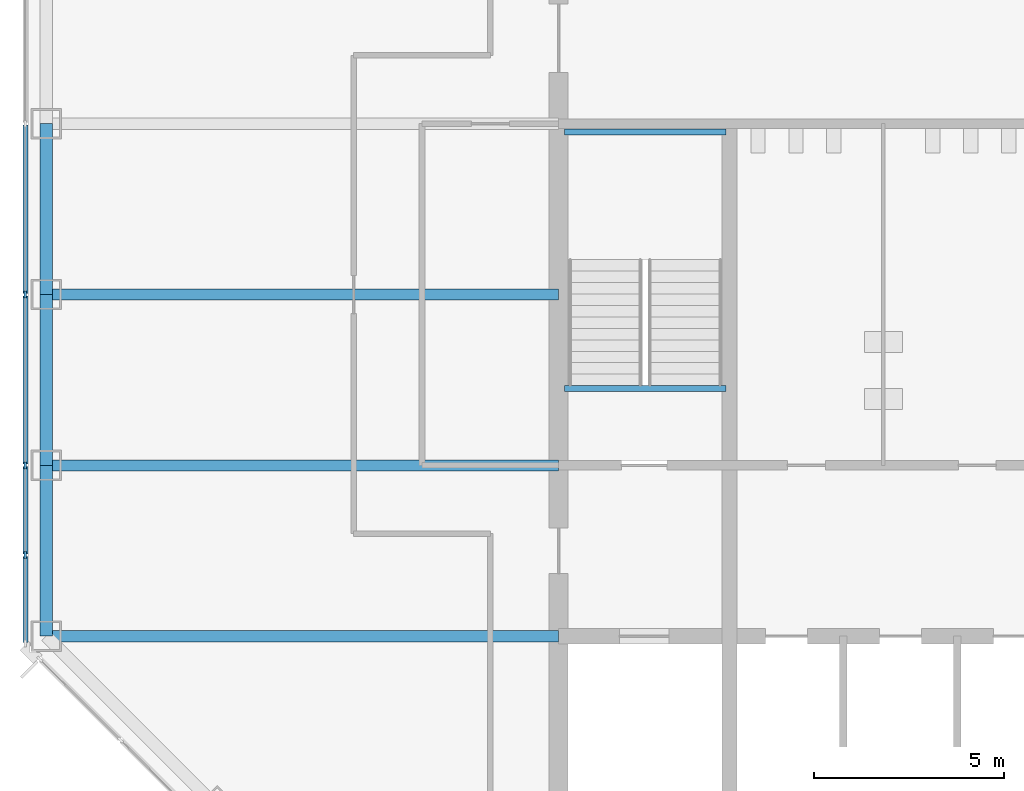
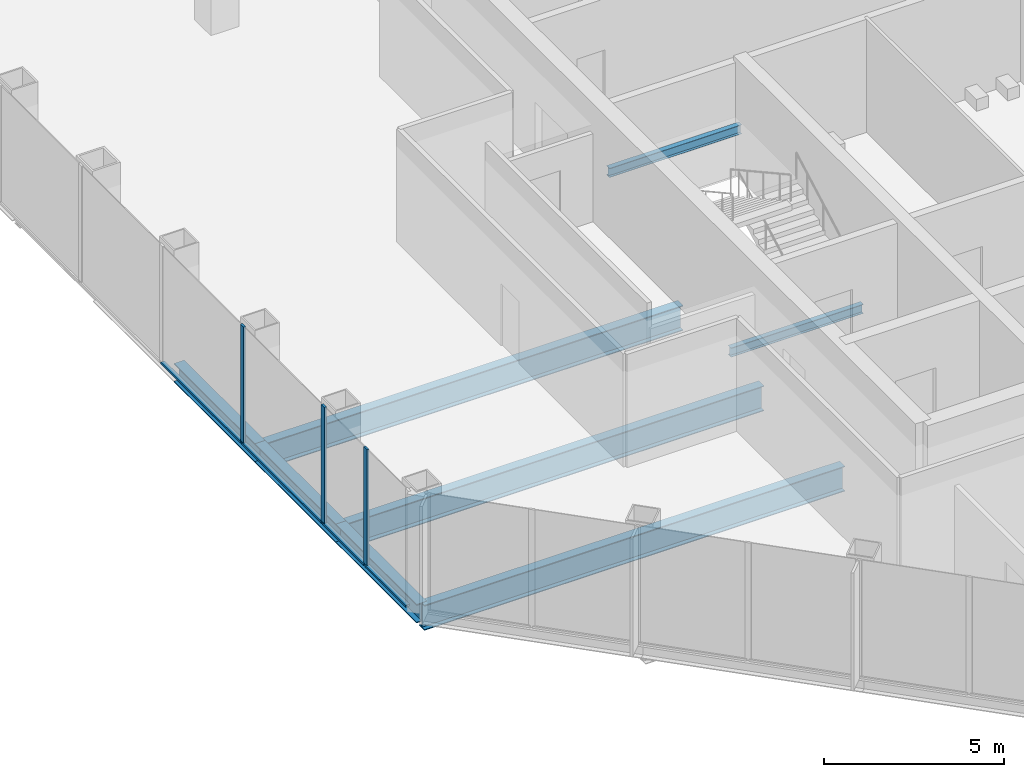
# One storey, part 3 of 12: 8 beams, 7 members, 1 element without a shape of its own.
"""IFC4 building model written with IfcOpenShell, lengths in metres."""

import ifcopenshell
import ifcopenshell.guid

model = None  # the IFC model being written
_history = None  # IfcOwnerHistory: only IFC2X3 demands one
_inside = {}  # id of a spatial element -> (the spatial element, [elements in it])
_under = {}  # id of a project, library or spatial element -> (it, [spatial elements below it])
_declared = {}  # id of a project -> (the project, [libraries it declares])
_typed = {}  # id of a type object -> (the type object, [elements of that type])
_made_of = {}  # id of a material, layer set ... -> (it, [elements and type objects made of it])


def new_model(schema):
    """Start an empty IFC model of exactly this schema.

    Asked for "IFC4X3", IfcOpenShell would pick the latest addendum, in which some entities
    have other attributes; the version numbers below select the first issue.
    IFC2X3 requires an IfcOwnerHistory on every rooted entity: one is made here for all.
    """
    global model, _history
    if schema == "IFC4X3":
        model = ifcopenshell.file(schema_version=(4, 3, 0, 0))
    else:
        model = ifcopenshell.file(schema=schema)
    _inside.clear()
    _under.clear()
    _declared.clear()
    _typed.clear()
    _made_of.clear()
    _history = None
    if model.schema == "IFC2X3":
        org = make("IfcOrganization", Name="unknown")
        user = make(
            "IfcPersonAndOrganization",
            ThePerson=make("IfcPerson", FamilyName="unknown"),
            TheOrganization=org,
        )
        app = make(
            "IfcApplication",
            ApplicationDeveloper=org,
            Version="unknown",
            ApplicationFullName="unknown",
            ApplicationIdentifier="unknown",
        )
        _history = make(
            "IfcOwnerHistory",
            OwningUser=user,
            OwningApplication=app,
            ChangeAction="ADDED",
            CreationDate=0,
        )
    return model


def make(cls, **values):
    """One entity of the class cls with the attributes given. An attribute that is None is left unset."""
    return model.create_entity(
        cls, **{name: value for name, value in values.items() if value is not None}
    )


def rooted(cls, **values):
    """An entity with a GlobalId (a new one), such as an element, a storey or a relation."""
    return make(cls, GlobalId=ifcopenshell.guid.new(), OwnerHistory=_history, **values)


def si_unit(unit_type, name, prefix=None):
    """IfcSIUnit, for example si_unit("LENGTHUNIT", "METRE", prefix="MILLI")."""
    return make("IfcSIUnit", UnitType=unit_type, Prefix=prefix, Name=name)


def assignment(units):
    """IfcUnitAssignment: the units of a project."""
    return None if units is None else make("IfcUnitAssignment", Units=units)


def point(xyz):
    """IfcCartesianPoint."""
    return None if xyz is None else make("IfcCartesianPoint", Coordinates=xyz)


def direction(xyz):
    """IfcDirection."""
    return None if xyz is None else make("IfcDirection", DirectionRatios=xyz)


def frame(location, z_axis=None, x_axis=None):
    """IfcAxis2Placement3D, a coordinate frame: its origin and axes. An axis left out is left unset."""
    return make(
        "IfcAxis2Placement3D",
        Location=point(location),
        Axis=direction(z_axis),
        RefDirection=direction(x_axis),
    )


def frame_2d(location, x_axis=None):
    """IfcAxis2Placement2D, a coordinate frame in the plane: its origin and x axis."""
    return make(
        "IfcAxis2Placement2D", Location=point(location), RefDirection=direction(x_axis)
    )


def origin():
    """The frame at (0, 0, 0) with its axes left unset."""
    return frame((0.0, 0.0, 0.0))


def origin_2d():
    """The frame at (0, 0) in the plane with its x axis left unset."""
    return frame_2d((0.0, 0.0))


def place(relative_to, where):
    """IfcLocalPlacement: puts the frame where relative to a parent placement (None: the world)."""
    return make(
        "IfcLocalPlacement", PlacementRelTo=relative_to, RelativePlacement=where
    )


def context(
    kind, dimensions, precision=None, world=None, true_north=None, identifier=None
):
    """IfcGeometricRepresentationContext, for example the 3D "Model" context."""
    return make(
        "IfcGeometricRepresentationContext",
        ContextIdentifier=identifier,
        ContextType=kind,
        CoordinateSpaceDimension=dimensions,
        Precision=precision,
        WorldCoordinateSystem=world,
        TrueNorth=true_north,
    )


def subcontext(parent, identifier, kind, view, scale=None):
    """IfcGeometricRepresentationSubContext, for example "Body" below "Model"."""
    return make(
        "IfcGeometricRepresentationSubContext",
        ContextIdentifier=identifier,
        ContextType=kind,
        ParentContext=parent,
        TargetScale=scale,
        TargetView=view,
    )


def project(units=None, contexts=None):
    """IfcProject with its units and contexts."""
    return rooted(
        "IfcProject",
        Name="project",
        RepresentationContexts=contexts,
        UnitsInContext=assignment(units),
    )


def spatial(cls, under=None, at=None, **own):
    """A site, building, storey or space (cls), placed at a placement, below another one or the project."""
    s = rooted(cls, ObjectPlacement=at, **own)
    if under is not None:
        _under.setdefault(under.id(), (under, []))[1].append(s)
    return s


def profile(cls, at=None, kind="AREA", **sizes):
    """A parametric profile (cls). Its sizes go by their IFC names, for example OverallWidth=200.0."""
    return make(cls, ProfileType=kind, Position=at, **sizes)


def rectangle(**sizes):
    """IfcRectangleProfileDef."""
    return profile("IfcRectangleProfileDef", **sizes)


def i_section(**sizes):
    """IfcIShapeProfileDef."""
    return profile("IfcIShapeProfileDef", **sizes)


def extrude(swept, where, along, depth):
    """IfcExtrudedAreaSolid: the profile swept, set in the frame where, extruded along a direction by depth."""
    return make(
        "IfcExtrudedAreaSolid",
        SweptArea=swept,
        Position=where,
        ExtrudedDirection=direction(along),
        Depth=depth,
    )


def shape(context_of_items, identifier, shape_type, items):
    """IfcShapeRepresentation: the items that make up one representation, for example the "Body"."""
    return make(
        "IfcShapeRepresentation",
        ContextOfItems=context_of_items,
        RepresentationIdentifier=identifier,
        RepresentationType=shape_type,
        Items=items,
    )


def material(Name=None, Category=None):
    """IfcMaterial."""
    return make("IfcMaterial", Name=Name, Category=Category)


def material_profile(
    of_material, cross_section, Name=None, Category=None, Priority=None
):
    """IfcMaterialProfile: a cross section and its material."""
    return make(
        "IfcMaterialProfile",
        Name=Name,
        Material=of_material,
        Profile=cross_section,
        Priority=Priority,
        Category=Category,
    )


def profile_set(profiles, Name=None, composite=None):
    """IfcMaterialProfileSet."""
    return make(
        "IfcMaterialProfileSet",
        Name=Name,
        MaterialProfiles=profiles,
        CompositeProfile=composite,
    )


def made_of(thing, what):
    """Note that an element or type object is made of a material, layer set ...; save() writes the relation."""
    if what is not None:
        _made_of.setdefault(what.id(), (what, []))[1].append(thing)
    return thing


def type_object(cls, material=None, **own):
    """A type object (cls), such as IfcWallType, which elements share."""
    return made_of(rooted(cls, **own), material)


def element(
    cls,
    number,
    at=None,
    inside=None,
    cuts=None,
    type_object=None,
    material=None,
    context=None,
    identifier="Body",
    shape_type=None,
    held_by="IfcProductDefinitionShape",
    body=None,
    shapes=None,
    **own,
):
    """One element of the class cls, such as IfcWall. Its Tag is "e" and its number.

    at: its placement. inside: the storey or other place that contains it. cuts: it is an
    opening in that element (IfcRelVoidsElement). A single representation is given by context,
    identifier, shape_type and body (its items); several are given by shapes. held_by: the class
    of the entity that holds the representations. save() writes the other relations.
    """
    e = rooted(cls, Tag="e%d" % number, ObjectPlacement=at, **own)
    if body is not None:
        shapes = [shape(context, identifier, shape_type, body)]
    if shapes is not None:
        e.Representation = make(held_by, Representations=shapes)
    if inside is not None:
        _inside.setdefault(inside.id(), (inside, []))[1].append(e)
    if cuts is not None:
        rooted(
            "IfcRelVoidsElement", RelatingBuildingElement=cuts, RelatedOpeningElement=e
        )
    if type_object is not None:
        _typed.setdefault(type_object.id(), (type_object, []))[1].append(e)
    return made_of(e, material)


def aggregate(whole, parts):
    """IfcRelAggregates: a whole, such as a stair, and the parts it consists of."""
    return rooted("IfcRelAggregates", RelatingObject=whole, RelatedObjects=parts)


def save(model, path):
    """Write the relations noted so far, then the file.

    IfcRelAggregates (storeys below a building ...), IfcRelContainedInSpatialStructure (elements
    in a storey), IfcRelDefinesByType, IfcRelAssociatesMaterial and IfcRelDeclares: one each for
    every whole, place, type object, material and project.
    """
    for whole, parts in _under.values():
        aggregate(whole, parts)
    for where, things in _inside.values():
        rooted(
            "IfcRelContainedInSpatialStructure",
            RelatedElements=things,
            RelatingStructure=where,
        )
    for kind, things in _typed.values():
        rooted("IfcRelDefinesByType", RelatedObjects=things, RelatingType=kind)
    for what, things in _made_of.values():
        rooted("IfcRelAssociatesMaterial", RelatedObjects=things, RelatingMaterial=what)
    for by, libraries in _declared.values():
        rooted("IfcRelDeclares", RelatingContext=by, RelatedDefinitions=libraries)
    model.write(path)


model = new_model("IFC4")

# Units and contexts
model_context = context("Model", 3, precision=1e-05, world=origin(), true_north=direction((0.0, 1.0)))
body_context = subcontext(model_context, "Body", "Model", "MODEL_VIEW")
ifc_project = project(units=[si_unit("LENGTHUNIT", "METRE"), si_unit("AREAUNIT", "SQUARE_METRE"), si_unit("VOLUMEUNIT", "CUBIC_METRE"), si_unit("PLANEANGLEUNIT", "RADIAN"), si_unit("MASSUNIT", "GRAM", prefix="KILO")], contexts=[model_context])

# Site, building, storey
site_placement = place(None, origin())
site = spatial("IfcSite", under=ifc_project, at=site_placement, CompositionType="ELEMENT")
building_placement = place(site_placement, origin())
building = spatial("IfcBuilding", under=site, at=building_placement, Name="Corais Broadcast Tower", CompositionType="ELEMENT")
storey_placement = place(building_placement, frame((0.0, 0.0, 115.60009765625)))
storey = spatial("IfcBuildingStorey", under=building, at=storey_placement, Name="L25", CompositionType="ELEMENT", Elevation=115.60009765625)

# Beams
ifc_material_1 = material(Name="Steel ASTM A572 Grade 50", Category="steel")
ifc_material_profile_1 = material_profile(ifc_material_1, i_section(OverallWidth=0.2939453125, OverallDepth=0.85107421875, WebThickness=0.01611328125, FlangeThickness=0.02685546875, at=origin_2d()), Name="W840x226")
ifc_profile_set_1 = profile_set([ifc_material_profile_1], Name="Steel ASTM A572 Grade 50")
beam_type_1 = type_object("IfcBeamType", Name="Floor beam W840x226", PredefinedType="BEAM", material=ifc_profile_set_1)
for number, where, z_axis, x_axis, name in (
    (1, (0.0, 18.0, -0.585693359375), (1.0, 0.0, 0.0), (0.0, 1.0, 0.0), "B1 E/3 to E/6"),
    (2, (0.0, 22.5, -0.585693359375), (1.0, 0.0, 0.0), (0.0, 1.0, 0.0), "B1 F/3 to F/6"),
    (3, (0.0, 27.0, -0.585693359375), (1.0, 0.0, 0.0), (0.0, 1.0, 0.0), "B1 G/3 to G/6"),
):
    element("IfcBeam", number, at=place(storey_placement, frame(where, z_axis=z_axis, x_axis=x_axis)), inside=storey, type_object=beam_type_1, Name=name, PredefinedType="BEAM", context=body_context, shape_type="SweptSolid", body=[
        extrude(i_section(OverallWidth=0.2939453125, OverallDepth=0.85107421875, WebThickness=0.01611328125, FlangeThickness=0.02685546875, at=origin_2d()), origin(), (0.0, 0.0, 1.0), 13.5),
    ])
ifc_material_2 = material(Name="Steel ASTM A572 Grade 50", Category="steel")
ifc_material_profile_2 = material_profile(ifc_material_2, i_section(OverallWidth=0.1650390625, OverallDepth=0.31005859375, WebThickness=0.005859375, FlangeThickness=0.009765625, at=origin_2d()), Name="W310x38.7")
ifc_profile_set_2 = profile_set([ifc_material_profile_2], Name="Steel ASTM A572 Grade 50")
beam_type_2 = type_object("IfcBeamType", Name="Landing trimmer W310x38.7", PredefinedType="BEAM", material=ifc_profile_set_2)
for number, where, z_axis, x_axis, name in (
    (4, (13.64990234375, 24.52490234375, -0.35498046875), (1.0, 0.0, 0.0), (0.0, 1.0, 0.0), "LT1 stair A landing trimmer L25"),
    (5, (13.64990234375, 31.284912109375, 1.64501953125), (1.0, 0.0, 0.0), (0.0, 1.0, 0.0), "LT1 stair A half landing trimmer L25"),
):
    element("IfcBeam", number, at=place(storey_placement, frame(where, z_axis=z_axis, x_axis=x_axis)), inside=storey, type_object=beam_type_2, Name=name, PredefinedType="BEAM", context=body_context, shape_type="SweptSolid", body=[
        extrude(i_section(OverallWidth=0.1650390625, OverallDepth=0.31005859375, WebThickness=0.005859375, FlangeThickness=0.009765625, at=origin_2d()), origin(), (0.0, 0.0, 1.0), 4.25),
    ])

# Curtain wall, members
ifc_material_3 = material(Name="Aluminium and glass", Category="aluminium")
curtain_wall_type = type_object("IfcCurtainWallType", Name="Unitised fritted curtain wall CW2", PredefinedType="NOTDEFINED", material=ifc_material_3)
curtain_wall_placement = place(storey_placement, origin())
curtain_wall = element("IfcCurtainWall", 6, at=curtain_wall_placement, inside=storey, type_object=curtain_wall_type, Name="CW2 curtain wall L25 2", PredefinedType="NOTDEFINED")
ifc_material_4 = material(Name="Aluminium 6063-T6", Category="aluminium")
ifc_material_profile_3 = material_profile(ifc_material_4, rectangle(XDim=0.06494140625, YDim=0.179931640625, at=origin_2d()), Name="Mullion CW2 65x180")
ifc_profile_set_3 = profile_set([ifc_material_profile_3], Name="Aluminium 6063-T6")
member_type_1 = type_object("IfcMemberType", Name="Mullion CW2 65x180", PredefinedType="MULLION", material=ifc_profile_set_3)
member_1_placement = place(storey_placement, frame((-0.550048828125, 20.135986328125, 0.0), z_axis=(0.0, 0.0, 1.0), x_axis=(-1.0, 0.0, 0.0)))
member_1 = element("IfcMember", 7, at=member_1_placement, type_object=member_type_1, Name="CW2 mullion 2", PredefinedType="MULLION", context=body_context, shape_type="SweptSolid", body=[
    extrude(rectangle(XDim=0.06494140625, YDim=0.179931640625, at=origin_2d()), origin(), (0.0, 0.0, 1.0), 4.0),
])
member_2_placement = place(storey_placement, frame((-0.550048828125, 22.5, 0.0), z_axis=(0.0, 0.0, 1.0), x_axis=(-1.0, 0.0, 0.0)))
member_2 = element("IfcMember", 8, at=member_2_placement, type_object=member_type_1, Name="CW2 mullion 3", PredefinedType="MULLION", context=body_context, shape_type="SweptSolid", body=[
    extrude(rectangle(XDim=0.06494140625, YDim=0.179931640625, at=origin_2d()), origin(), (0.0, 0.0, 1.0), 4.0),
])
member_3_placement = place(storey_placement, frame((-0.550048828125, 27.0, 0.0), z_axis=(0.0, 0.0, 1.0), x_axis=(-1.0, 0.0, 0.0)))
member_3 = element("IfcMember", 9, at=member_3_placement, type_object=member_type_1, Name="CW2 mullion 4", PredefinedType="MULLION", context=body_context, shape_type="SweptSolid", body=[
    extrude(rectangle(XDim=0.06494140625, YDim=0.179931640625, at=origin_2d()), origin(), (0.0, 0.0, 1.0), 4.0),
])

# Beams
ifc_material_5 = material(Name="Steel ASTM A572 Grade 50", Category="steel")
ifc_material_profile_4 = material_profile(ifc_material_5, i_section(OverallWidth=0.3291015625, OverallDepth=0.635009765625, WebThickness=0.017822265625, FlangeThickness=0.031005859375, at=origin_2d()), Name="W610x241")
ifc_profile_set_4 = profile_set([ifc_material_profile_4], Name="Steel ASTM A572 Grade 50")
beam_type_3 = type_object("IfcBeamType", Name="Spandrel W610x241", PredefinedType="BEAM", material=ifc_profile_set_4)
for number, where, z_axis, x_axis, name in (
    (10, (0.0, 22.5, -0.4775390625), (0.0, -1.0, 0.0), (1.0, 0.0, 0.0), "SB1 F/3 to E/3"),
    (11, (0.0, 27.0, -0.4775390625), (0.0, -1.0, 0.0), (1.0, 0.0, 0.0), "SB1 G/3 to F/3"),
    (12, (0.0, 31.5, -0.4775390625), (0.0, -1.0, 0.0), (1.0, 0.0, 0.0), "SB1 H/3 to G/3"),
):
    element("IfcBeam", number, at=place(storey_placement, frame(where, z_axis=z_axis, x_axis=x_axis)), inside=storey, type_object=beam_type_3, Name=name, PredefinedType="BEAM", context=body_context, shape_type="SweptSolid", body=[
        extrude(i_section(OverallWidth=0.3291015625, OverallDepth=0.635009765625, WebThickness=0.017822265625, FlangeThickness=0.031005859375, at=origin_2d()), origin(), (0.0, 0.0, 1.0), 4.5),
    ])

# Member
ifc_material_6 = material(Name="Aluminium 6063-T6", Category="aluminium")
ifc_material_profile_5 = material_profile(ifc_material_6, rectangle(XDim=0.1298828125, YDim=0.06494140625, at=origin_2d()), Name="Transom CW2 65x130")
ifc_profile_set_5 = profile_set([ifc_material_profile_5], Name="Aluminium 6063-T6")
member_type_2 = type_object("IfcMemberType", Name="Transom CW2 65x130", PredefinedType="USERDEFINED", material=ifc_profile_set_5)
member_4_placement = place(storey_placement, frame((-0.550048828125, 17.837158203125, 0.032470703125), z_axis=(0.0, 1.0, 0.0), x_axis=(-1.0, 0.0, 0.0)))
member_4 = element("IfcMember", 13, at=member_4_placement, type_object=member_type_2, Name="CW2 transom 1.1", ObjectType="TRANSOM", PredefinedType="USERDEFINED", context=body_context, shape_type="SweptSolid", body=[
    extrude(rectangle(XDim=0.1298828125, YDim=0.06494140625, at=origin_2d()), origin(), (0.0, 0.0, 1.0), 2.266357421875),
])

member_5_placement = place(storey_placement, frame((-0.550048828125, 20.168701171875, 0.032470703125), z_axis=(0.0, 1.0, 0.0), x_axis=(-1.0, 0.0, 0.0)))
member_5 = element("IfcMember", 14, at=member_5_placement, type_object=member_type_2, Name="CW2 transom 2.1", ObjectType="TRANSOM", PredefinedType="USERDEFINED", context=body_context, shape_type="SweptSolid", body=[
    extrude(rectangle(XDim=0.1298828125, YDim=0.06494140625, at=origin_2d()), origin(), (0.0, 0.0, 1.0), 2.298828125),
])

member_6_placement = place(storey_placement, frame((-0.550048828125, 22.532470703125, 0.032470703125), z_axis=(0.0, 1.0, 0.0), x_axis=(-1.0, 0.0, 0.0)))
member_6 = element("IfcMember", 15, at=member_6_placement, type_object=member_type_2, Name="CW2 transom 3.1", ObjectType="TRANSOM", PredefinedType="USERDEFINED", context=body_context, shape_type="SweptSolid", body=[
    extrude(rectangle(XDim=0.1298828125, YDim=0.06494140625, at=origin_2d()), origin(), (0.0, 0.0, 1.0), 4.43505859375),
])

member_7_placement = place(storey_placement, frame((-0.550048828125, 27.032470703125, 0.032470703125), z_axis=(0.0, 1.0, 0.0), x_axis=(-1.0, 0.0, 0.0)))
member_7 = element("IfcMember", 16, at=member_7_placement, type_object=member_type_2, Name="CW2 transom 4.1", ObjectType="TRANSOM", PredefinedType="USERDEFINED", context=body_context, shape_type="SweptSolid", body=[
    extrude(rectangle(XDim=0.1298828125, YDim=0.06494140625, at=origin_2d()), origin(), (0.0, 0.0, 1.0), 4.43505859375),
])

aggregate(curtain_wall, [member_1, member_2, member_3, member_4, member_5, member_6, member_7])

save(model, "model.ifc")
